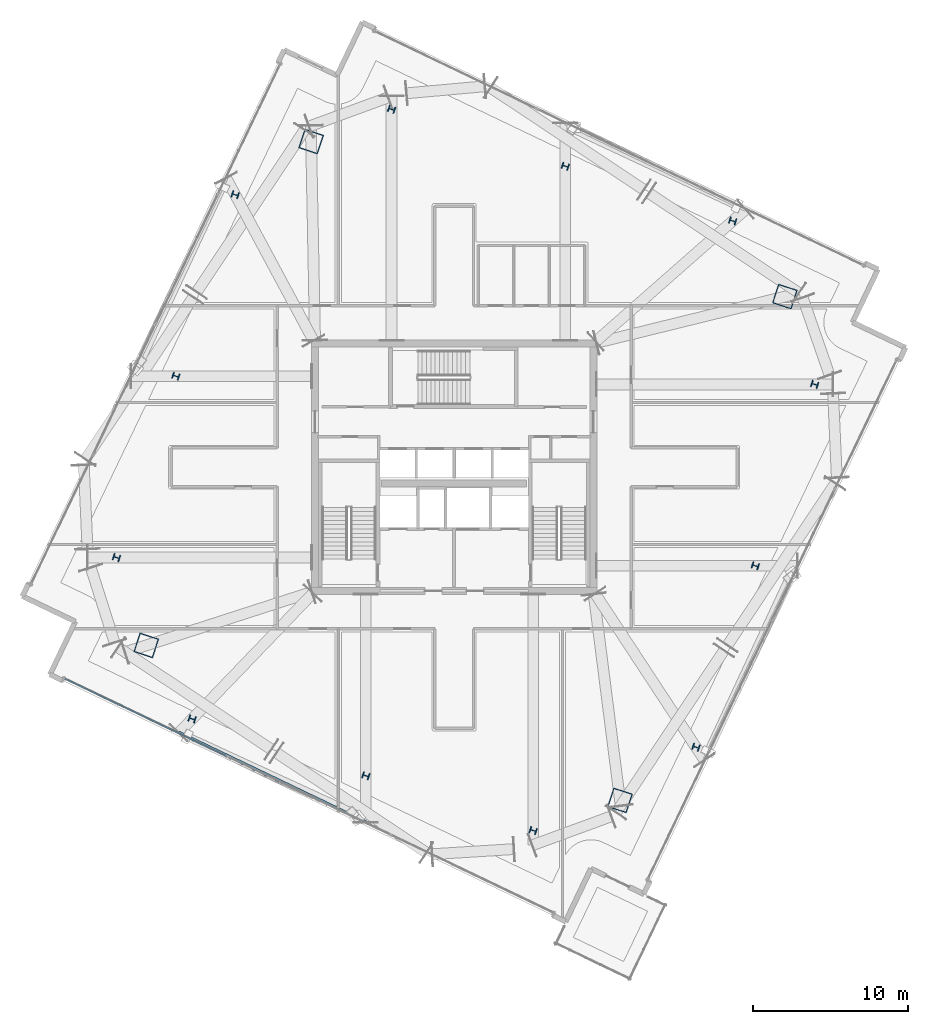
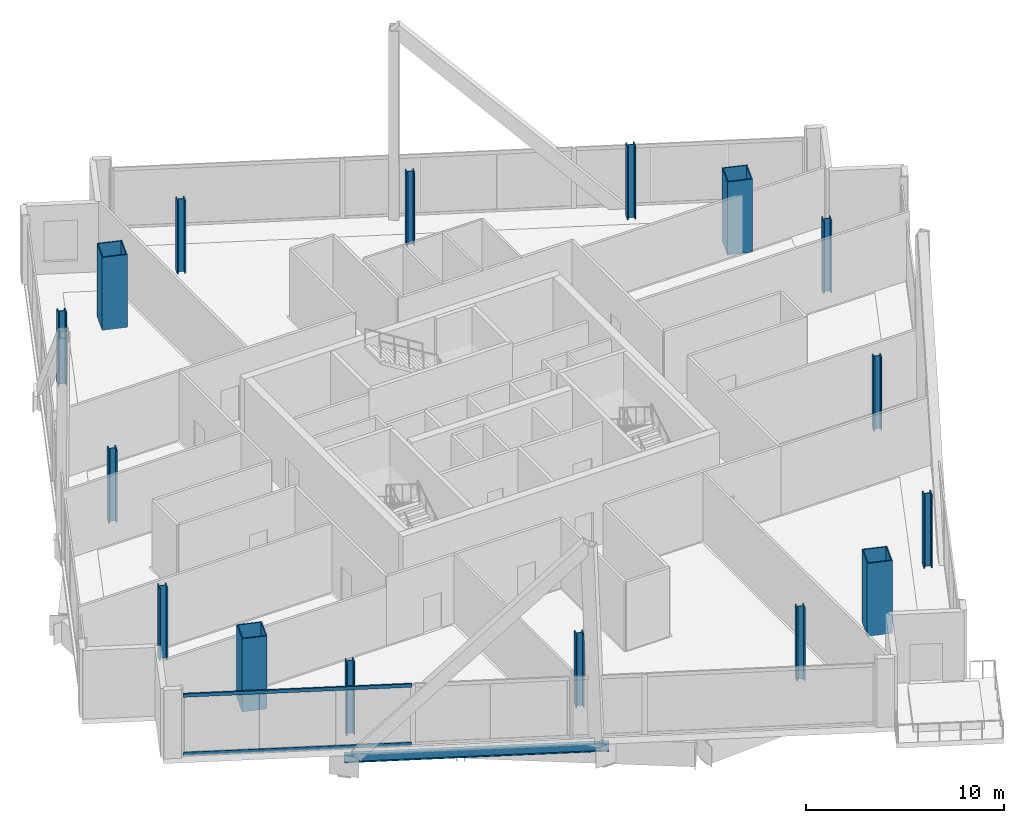
# One storey, part 1 of 24: 16 columns, 2 members, 1 beam, 1 element without a shape of its own.
"""IFC4 building model written with IfcOpenShell, lengths in metres."""

from ifc_helpers import new_model, si_unit, direction, frame, origin, origin_2d, place, context, subcontext, project, spatial, hollow_rectangle, i_section, extrude, material, material_profile, profile_set, type_object, element, aggregate, save


model = new_model("IFC4")

# Units and contexts
model_context = context("Model", 3, precision=1e-05, world=origin(), true_north=direction((0.0, 1.0)))
body_context = subcontext(model_context, "Body", "Model", "MODEL_VIEW")
ifc_project = project(units=[si_unit("LENGTHUNIT", "METRE"), si_unit("AREAUNIT", "SQUARE_METRE"), si_unit("VOLUMEUNIT", "CUBIC_METRE"), si_unit("PLANEANGLEUNIT", "RADIAN"), si_unit("MASSUNIT", "GRAM", prefix="KILO")], contexts=[model_context])

# Site, building, storey
site_placement = place(None, origin())
site = spatial("IfcSite", under=ifc_project, at=site_placement, CompositionType="ELEMENT")
building_placement = place(site_placement, origin())
building = spatial("IfcBuilding", under=site, at=building_placement, Name="Haldenkirk Collegiate Tower", CompositionType="ELEMENT")
storey_placement = place(building_placement, frame((0.0, 0.0, 244.199951171875)))
storey = spatial("IfcBuildingStorey", under=building, at=storey_placement, Name="L61", CompositionType="ELEMENT", Elevation=244.199951171875)

# Columns
ifc_material_1 = material(Name="Steel ASTM A913 Grade 65", Category="steel")
ifc_material_profile_1 = material_profile(ifc_material_1, i_section(OverallWidth=0.416015625, OverallDepth=0.445068359375, WebThickness=0.0390625, FlangeThickness=0.062744140625, at=origin_2d()), Name="W14X342")
ifc_profile_set_1 = profile_set([ifc_material_profile_1], Name="Steel ASTM A913 Grade 65")
column_type_1 = type_object("IfcColumnType", Name="COL-INT-W14X342", PredefinedType="COLUMN", material=ifc_profile_set_1)
for number, where, z_axis, x_axis, name in (
    (1, (51.64306640625, 7.888671875, 0.0), (0.0, 0.0, 1.0), (0.311008203279, 0.950407227189, 0.0), "L61 perimeter gravity column PC-S1"),
    (2, (55.4833984375, 19.624267578125, 0.0), (0.0, 0.0, 1.0), (0.311008203279, 0.950407227189, 0.0), "L61 perimeter gravity column PC-S2"),
    (3, (59.32373046875, 31.360107421875, 0.0), (0.0, 0.0, 1.0), (0.311008203279, 0.950407227189, 0.0), "L61 perimeter gravity column PC-S3"),
    (4, (54.01806640625, 41.9365234375, 0.0), (0.0, 0.0, 1.0), (0.311008203279, 0.950407227189, 0.0), "L61 perimeter gravity column PC-E1"),
    (5, (43.18994140625, 45.47998046875, 0.0), (0.0, 0.0, 1.0), (0.311008203279, 0.950407227189, 0.0), "L61 perimeter gravity column PC-E2"),
    (6, (31.949462890625, 49.158203125, 0.0), (0.0, 0.0, 1.0), (0.311008203279, 0.950407227189, 0.0), "L61 perimeter gravity column PC-E3"),
    (7, (21.830078125, 43.629150390625, 0.0), (0.0, 0.0, 1.0), (0.311008203279, 0.950407227189, 0.0), "L61 perimeter gravity column PC-N1"),
    (8, (17.98974609375, 31.8935546875, 0.0), (0.0, 0.0, 1.0), (0.311008203279, 0.950407227189, 0.0), "L61 perimeter gravity column PC-N2"),
    (9, (14.1494140625, 20.157958984375, 0.0), (0.0, 0.0, 1.0), (0.311008203279, 0.950407227189, 0.0), "L61 perimeter gravity column PC-N3"),
    (10, (19.042724609375, 9.71630859375, 0.0), (0.0, 0.0, 1.0), (0.311008203279, 0.950407227189, 0.0), "L61 perimeter gravity column PC-W1"),
    (11, (30.283203125, 6.0380859375, 0.0), (0.0, 0.0, 1.0), (0.311008203279, 0.950407227189, 0.0), "L61 perimeter gravity column PC-W2"),
    (12, (41.111083984375, 2.49462890625, 0.0), (0.0, 0.0, 1.0), (0.311008203279, 0.950407227189, 0.0), "L61 perimeter gravity column PC-W3"),
):
    element("IfcColumn", number, at=place(storey_placement, frame(where, z_axis=z_axis, x_axis=x_axis)), inside=storey, type_object=column_type_1, Name=name, PredefinedType="COLUMN", context=body_context, shape_type="SweptSolid", body=[
        extrude(i_section(OverallWidth=0.416015625, OverallDepth=0.445068359375, WebThickness=0.0390625, FlangeThickness=0.062744140625, at=origin_2d()), origin(), (0.0, 0.0, 1.0), 4.5),
    ])
ifc_material_2 = material(Name="Steel ASTM A572 Grade 50", Category="steel")
ifc_material_profile_2 = material_profile(ifc_material_2, hollow_rectangle(XDim=1.300048828125, YDim=1.300048828125, WallThickness=0.06005859375, at=origin_2d()), Name="BOX1300X1300X60")
ifc_profile_set_2 = profile_set([ifc_material_profile_2], Name="Steel ASTM A572 Grade 50")
column_type_2 = type_object("IfcColumnType", Name="COL-MEGA-BOX1300X1300X60", PredefinedType="COLUMN", material=ifc_profile_set_2)
for number, where, z_axis, x_axis, name in (
    (13, (46.72802734375, 4.444580078125, 0.0), (0.0, 0.0, 1.0), (0.311008203279, 0.950407227189, 0.0), "L61 corner mega-column MC1"),
    (14, (57.395751953125, 37.04345703125, 0.0), (0.0, 0.0, 1.0), (0.311008203279, 0.950407227189, 0.0), "L61 corner mega-column MC2"),
    (15, (26.7451171875, 47.073486328125, 0.0), (0.0, 0.0, 1.0), (0.311008203279, 0.950407227189, 0.0), "L61 corner mega-column MC3"),
    (16, (16.077392578125, 14.474609375, 0.0), (0.0, 0.0, 1.0), (0.311008203279, 0.950407227189, 0.0), "L61 corner mega-column MC4"),
):
    element("IfcColumn", number, at=place(storey_placement, frame(where, z_axis=z_axis, x_axis=x_axis)), inside=storey, type_object=column_type_2, Name=name, PredefinedType="COLUMN", context=body_context, shape_type="SweptSolid", body=[
        extrude(hollow_rectangle(XDim=1.300048828125, YDim=1.300048828125, WallThickness=0.06005859375, at=origin_2d()), origin(), (0.0, 0.0, 1.0), 4.5),
    ])

# Beam
ifc_material_3 = material(Name="Steel ASTM A992 Grade 50", Category="steel")
ifc_material_profile_3 = material_profile(ifc_material_3, i_section(OverallWidth=0.2099609375, OverallDepth=0.537109375, WebThickness=0.010986328125, FlangeThickness=0.017333984375, at=origin_2d()), Name="W21X68")
ifc_profile_set_3 = profile_set([ifc_material_profile_3], Name="Steel ASTM A992 Grade 50")
beam_type = type_object("IfcBeamType", Name="BM-SPANDREL-W21X68", PredefinedType="SPANDREL", material=ifc_profile_set_3)
beam_placement = place(storey_placement, frame((18.19091796875, 8.82958984375, -0.66845703125), z_axis=(0.901831105987, -0.43208871343, 0.0), x_axis=(0.43208871343, 0.901831105987, 0.0)))
element("IfcBeam", 17, at=beam_placement, inside=storey, type_object=beam_type, Name="L61 outer facade edge beam 4", PredefinedType="SPANDREL", context=body_context, shape_type="SweptSolid", body=[
    extrude(i_section(OverallWidth=0.2099609375, OverallDepth=0.537109375, WebThickness=0.010986328125, FlangeThickness=0.017333984375, at=origin_2d()), origin(), (0.0, 0.0, 1.0), 13.40869140625),
])

# Curtain wall, members
ifc_material_4 = material(Name="Anodised architectural bronze aluminium", Category="aluminium")
curtain_wall_type = type_object("IfcCurtainWallType", Name="CW-SYS4-SKYGARDEN", PredefinedType="USERDEFINED", material=ifc_material_4)
curtain_wall_placement = place(storey_placement, origin())
curtain_wall = element("IfcCurtainWall", 18, at=curtain_wall_placement, inside=storey, type_object=curtain_wall_type, Name="L61 Sky-garden tall bronze curtain wall", ObjectType="UNITISED CURTAIN WALL", PredefinedType="USERDEFINED")
ifc_material_profile_4 = material_profile(ifc_material_4, hollow_rectangle(XDim=0.090087890625, YDim=0.2099609375, WallThickness=0.0048828125, at=origin_2d()), Name="CW-TRN-04")
ifc_profile_set_4 = profile_set([ifc_material_profile_4], Name="Anodised architectural bronze aluminium")
member_type = type_object("IfcMemberType", Name="CW-TRN-04", PredefinedType="USERDEFINED", material=ifc_profile_set_4)
member_1_placement = place(storey_placement, frame((21.266845703125, 7.311279296875, 0.045166015625), z_axis=(-0.901831921263, 0.432087011828, 0.0), x_axis=(-0.432087011828, -0.901831921263, 0.0)))
member_1 = element("IfcMember", 19, at=member_1_placement, type_object=member_type, Name="CW-04 transom 3.1", ObjectType="TRANSOM", PredefinedType="USERDEFINED", context=body_context, shape_type="SweptSolid", body=[
    extrude(hollow_rectangle(XDim=0.090087890625, YDim=0.2099609375, WallThickness=0.0048828125, at=origin_2d()), origin(), (0.0, 0.0, 1.0), 11.598388671875),
])
member_2_placement = place(storey_placement, frame((21.266845703125, 7.311279296875, 3.64306640625), z_axis=(-0.901831921263, 0.432087011828, 0.0), x_axis=(-0.432087011828, -0.901831921263, 0.0)))
member_2 = element("IfcMember", 20, at=member_2_placement, type_object=member_type, Name="CW-04 transom 3.2", ObjectType="TRANSOM", PredefinedType="USERDEFINED", context=body_context, shape_type="SweptSolid", body=[
    extrude(hollow_rectangle(XDim=0.090087890625, YDim=0.2099609375, WallThickness=0.0048828125, at=origin_2d()), origin(), (0.0, 0.0, 1.0), 11.598388671875),
])
aggregate(curtain_wall, [member_1, member_2])

save(model, "model.ifc")
